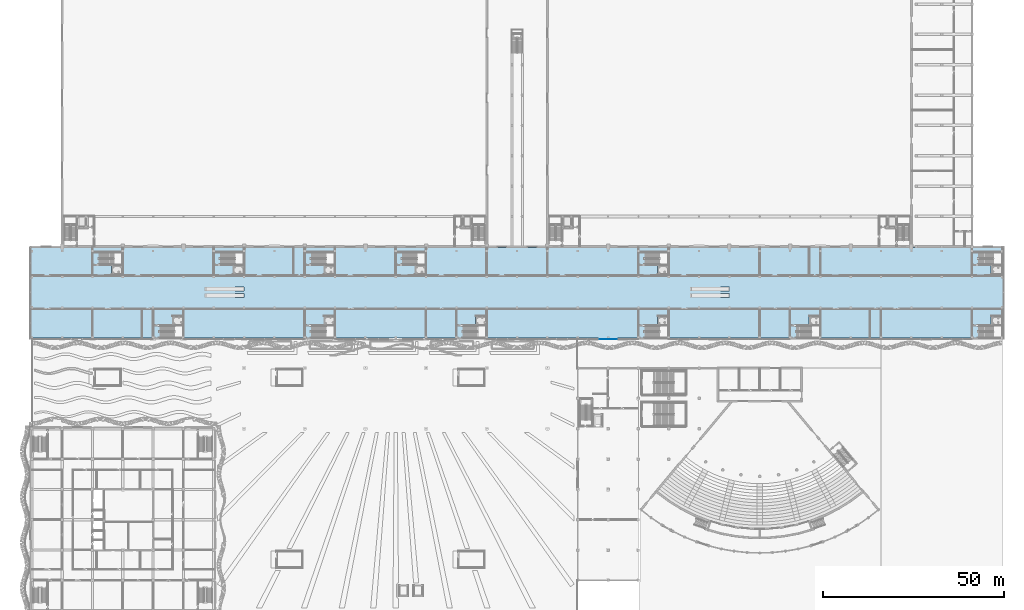
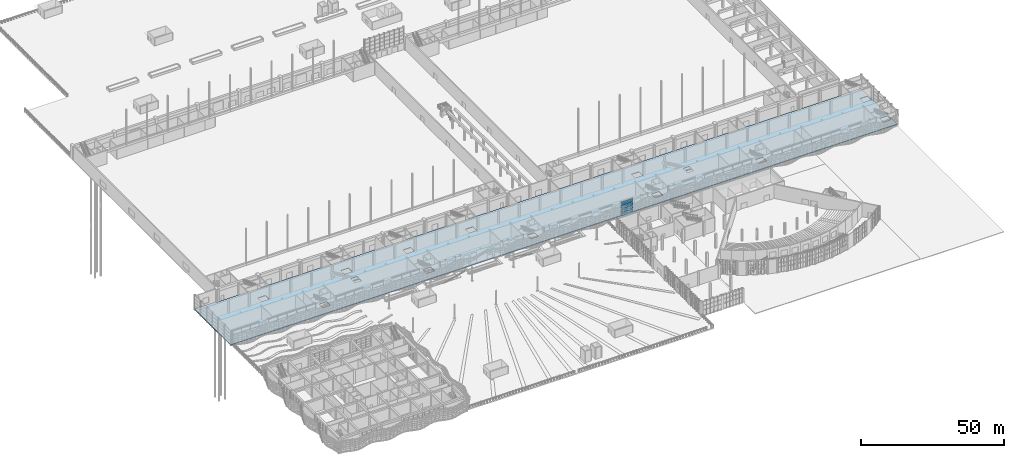
# One storey, part 91 of 210: 4 plates, 1 slab, 1 element without a shape of its own.
"""IFC4 building model written with IfcOpenShell, lengths in metres."""

from ifc_helpers import new_model, si_unit, direction, frame, origin, origin_2d, place, context, subcontext, project, spatial, polyline, rectangle, outline, extrude, material, layer, layer_set, type_object, element, aggregate, save


model = new_model("IFC4")

# Units and contexts
model_context = context("Model", 3, precision=1e-05, world=origin(), true_north=direction((0.0, 1.0)))
body_context = subcontext(model_context, "Body", "Model", "MODEL_VIEW")
ifc_project = project(units=[si_unit("LENGTHUNIT", "METRE"), si_unit("AREAUNIT", "SQUARE_METRE"), si_unit("VOLUMEUNIT", "CUBIC_METRE"), si_unit("PLANEANGLEUNIT", "RADIAN"), si_unit("MASSUNIT", "GRAM", prefix="KILO")], contexts=[model_context])

# Site, building, storey
site_placement = place(None, origin())
site = spatial("IfcSite", under=ifc_project, at=site_placement, CompositionType="ELEMENT")
building_placement = place(site_placement, origin())
building = spatial("IfcBuilding", under=site, at=building_placement, Name="Rain Tree Exposition and Congress Centre", CompositionType="ELEMENT")
storey_placement = place(building_placement, origin())
storey = spatial("IfcBuildingStorey", under=building, at=storey_placement, Name="L00", CompositionType="ELEMENT", Elevation=0.0)

# Curtain wall, plates
ifc_material_1 = material(Name="Aluminium curtain wall system", Category="aluminium")
ifc_layer_1 = layer(ifc_material_1, 0.10009765625)
ifc_layer_set_1 = layer_set([ifc_layer_1], Name="Aluminium curtain wall system")
curtain_wall_type = type_object("IfcCurtainWallType", Name="Concourse curtain wall 4200 module", PredefinedType="NOTDEFINED", material=ifc_layer_set_1)
curtain_wall_placement = place(storey_placement, origin())
curtain_wall = element("IfcCurtainWall", 1, at=curtain_wall_placement, inside=storey, type_object=curtain_wall_type, Name="Concourse curtain wall CWC14", PredefinedType="NOTDEFINED")
ifc_material_2 = material(Name="Laminated low-e glass", Category="glass")
ifc_layer_2 = layer(ifc_material_2, 0.028076171875)
ifc_layer_set_2 = layer_set([ifc_layer_2], Name="Laminated low-e glass")
plate_type = type_object("IfcPlateType", Name="Concourse curtain wall glass panel 28", PredefinedType="CURTAIN_PANEL", material=ifc_layer_set_2)
plate_1_placement = place(storey_placement, frame((159.60009765625, 75.199951171875, 0.06005859375), z_axis=(0.0, 0.0, 1.0), x_axis=(1.0, 0.0, 0.0)))
plate_1 = element("IfcPlate", 2, at=plate_1_placement, type_object=plate_type, Name="CWC14 panel 1.1", PredefinedType="CURTAIN_PANEL", context=body_context, shape_type="SweptSolid", body=[
    extrude(rectangle(XDim=4.679931640625, YDim=0.028076171875, at=origin_2d()), origin(), (0.0, 0.0, 1.0), 1.409912109375),
])
plate_2_placement = place(storey_placement, frame((159.60009765625, 75.199951171875, 1.530029296875), z_axis=(0.0, 0.0, 1.0), x_axis=(1.0, 0.0, 0.0)))
plate_2 = element("IfcPlate", 3, at=plate_2_placement, type_object=plate_type, Name="CWC14 panel 1.2", PredefinedType="CURTAIN_PANEL", context=body_context, shape_type="SweptSolid", body=[
    extrude(rectangle(XDim=4.679931640625, YDim=0.028076171875, at=origin_2d()), origin(), (0.0, 0.0, 1.0), 1.43994140625),
])
plate_3_placement = place(storey_placement, frame((159.60009765625, 75.199951171875, 3.030029296875), z_axis=(0.0, 0.0, 1.0), x_axis=(1.0, 0.0, 0.0)))
plate_3 = element("IfcPlate", 4, at=plate_3_placement, type_object=plate_type, Name="CWC14 panel 1.3", PredefinedType="CURTAIN_PANEL", context=body_context, shape_type="SweptSolid", body=[
    extrude(rectangle(XDim=4.679931640625, YDim=0.028076171875, at=origin_2d()), origin(), (0.0, 0.0, 1.0), 1.43994140625),
])
plate_4_placement = place(storey_placement, frame((159.60009765625, 75.199951171875, 4.5302734375), z_axis=(0.0, 0.0, 1.0), x_axis=(1.0, 0.0, 0.0)))
plate_4 = element("IfcPlate", 5, at=plate_4_placement, type_object=plate_type, Name="CWC14 panel 1.4", PredefinedType="CURTAIN_PANEL", context=body_context, shape_type="SweptSolid", body=[
    extrude(rectangle(XDim=4.679931640625, YDim=0.028076171875, at=origin_2d()), origin(), (0.0, 0.0, 1.0), 1.409912109375),
])
aggregate(curtain_wall, [plate_1, plate_2, plate_3, plate_4])

# Slab
ifc_material_3 = material(Name="Concrete C40/50", Category="concrete")
ifc_layer_3 = layer(ifc_material_3, 0.300048828125)
ifc_layer_set_3 = layer_set([ifc_layer_3], Name="Concrete C40/50")
slab_type = type_object("IfcSlabType", Name="Concourse ground slab 300", PredefinedType="BASESLAB", material=ifc_layer_set_3)
slab_placement = place(storey_placement, frame((0.0, 0.0, -0.300048828125)))
element("IfcSlab", 6, at=slab_placement, inside=storey, type_object=slab_type, Name="Concourse ground slab", PredefinedType="BASESLAB", context=body_context, shape_type="SweptSolid", body=[
    extrude(outline(polyline([(-0.449951171875, 75.60009765625), (-0.449951171875, 100.60009765625), (-0.449951171875, 101.0), (8.199951171875, 101.0), (8.199951171875, 100.60009765625), (260.60009765625, 100.60009765625), (260.60009765625, 101.0), (269.25, 101.0), (269.25, 100.60009765625), (269.25, 75.60009765625), (-0.449951171875, 75.60009765625)]), holes=[polyline([(268.800048828125, 95.64990234375), (265.699951171875, 95.64990234375), (265.699951171875, 93.050048828125), (268.800048828125, 93.050048828125), (268.800048828125, 95.64990234375)]), polyline([(268.800048828125, 81.699951171875), (265.699951171875, 81.699951171875), (265.699951171875, 79.10009765625), (268.800048828125, 79.10009765625), (268.800048828125, 81.699951171875)]), polyline([(218.39990234375, 81.699951171875), (215.300048828125, 81.699951171875), (215.300048828125, 79.10009765625), (218.39990234375, 79.10009765625), (218.39990234375, 81.699951171875)]), polyline([(193.1923828125, 89.699951171875), (190.6923828125, 89.699951171875), (190.6923828125, 88.5), (193.1923828125, 88.5), (193.1923828125, 89.699951171875)]), polyline([(193.1923828125, 87.89990234375), (190.6923828125, 87.89990234375), (190.6923828125, 86.699951171875), (193.1923828125, 86.699951171875), (193.1923828125, 87.89990234375)]), polyline([(176.39990234375, 95.64990234375), (173.300048828125, 95.64990234375), (173.300048828125, 93.050048828125), (176.39990234375, 93.050048828125), (176.39990234375, 95.64990234375)]), polyline([(176.39990234375, 81.699951171875), (173.300048828125, 81.699951171875), (173.300048828125, 79.10009765625), (176.39990234375, 79.10009765625), (176.39990234375, 81.699951171875)]), polyline([(126.0, 81.699951171875), (122.89990234375, 81.699951171875), (122.89990234375, 79.10009765625), (126.0, 79.10009765625), (126.0, 81.699951171875)]), polyline([(109.199951171875, 95.64990234375), (106.10009765625, 95.64990234375), (106.10009765625, 93.050048828125), (109.199951171875, 93.050048828125), (109.199951171875, 95.64990234375)]), polyline([(84.0, 95.64990234375), (80.89990234375, 95.64990234375), (80.89990234375, 93.050048828125), (84.0, 93.050048828125), (84.0, 95.64990234375)]), polyline([(84.0, 81.699951171875), (80.89990234375, 81.699951171875), (80.89990234375, 79.10009765625), (84.0, 79.10009765625), (84.0, 81.699951171875)]), polyline([(58.800048828125, 95.64990234375), (55.699951171875, 95.64990234375), (55.699951171875, 93.050048828125), (58.800048828125, 93.050048828125), (58.800048828125, 95.64990234375)]), polyline([(58.792236328125, 89.699951171875), (56.292236328125, 89.699951171875), (56.292236328125, 88.5), (58.792236328125, 88.5), (58.792236328125, 89.699951171875)]), polyline([(58.792236328125, 87.89990234375), (56.292236328125, 87.89990234375), (56.292236328125, 86.699951171875), (58.792236328125, 86.699951171875), (58.792236328125, 87.89990234375)]), polyline([(42.0, 81.699951171875), (38.89990234375, 81.699951171875), (38.89990234375, 79.10009765625), (42.0, 79.10009765625), (42.0, 81.699951171875)]), polyline([(25.199951171875, 95.64990234375), (22.10009765625, 95.64990234375), (22.10009765625, 93.050048828125), (25.199951171875, 93.050048828125), (25.199951171875, 95.64990234375)])]), origin(), (0.0, 0.0, 1.0), 0.300048828125),
])

save(model, "model.ifc")
